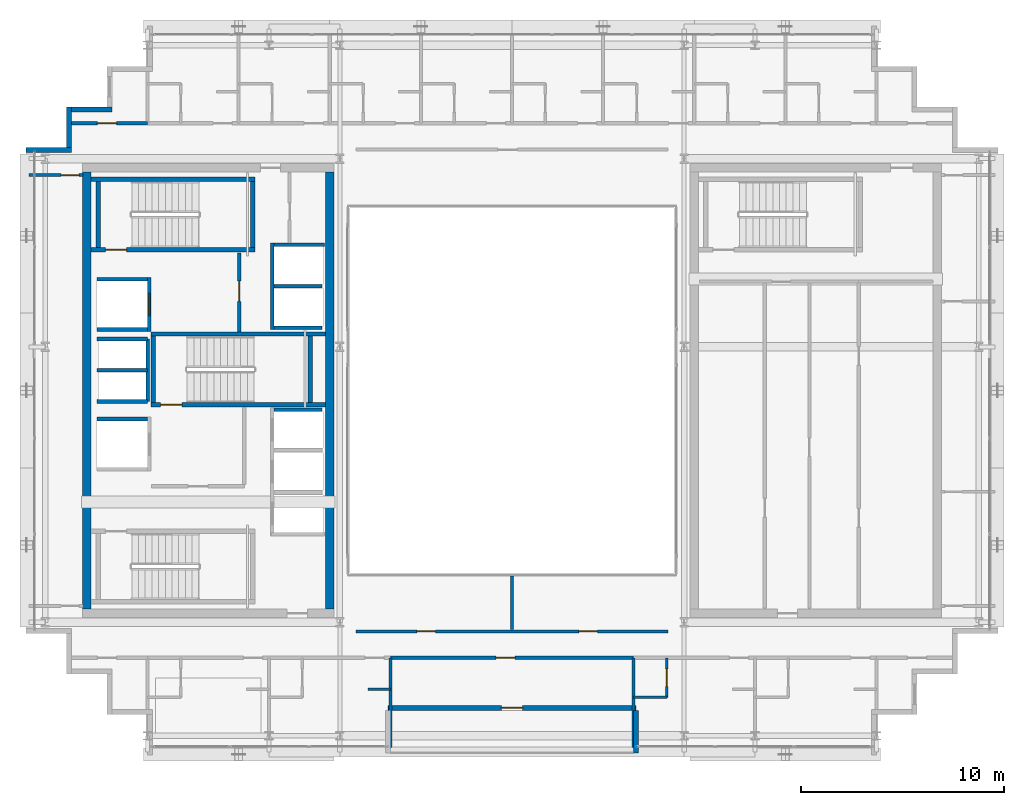
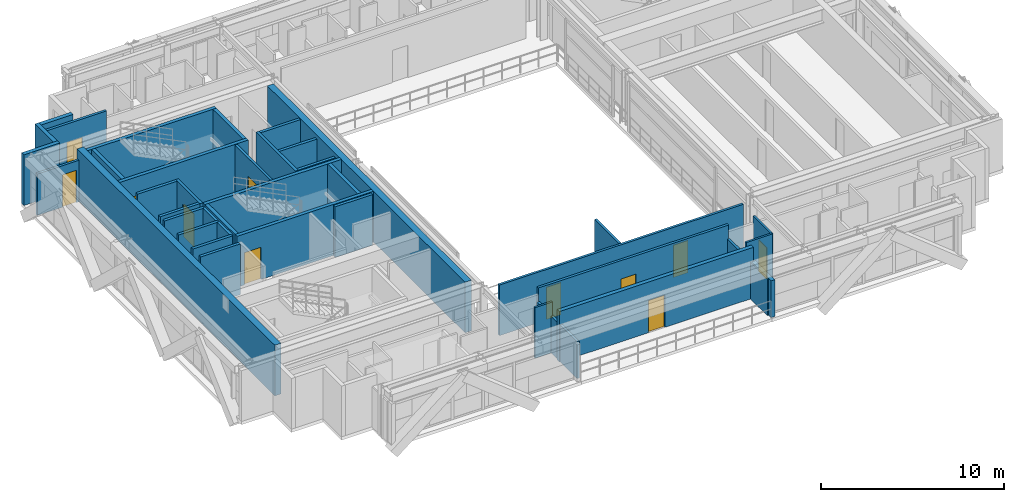
# One storey, part 22 of 29: 39 walls, 11 doors, 11 openings.
"""IFC4 building model written with IfcOpenShell, lengths in metres."""

from ifc_helpers import new_model, si_unit, direction, frame, frame_2d, origin, place, context, subcontext, project, spatial, rectangle, extrude, source, transform, mapped, material, layer, layer_set, type_object, element, fill, save


model = new_model("IFC4")

# Units and contexts
model_context = context("Model", 3, precision=1e-05, world=origin(), true_north=direction((0.0, 1.0)))
body_context = subcontext(model_context, "Body", "Model", "MODEL_VIEW")
ifc_project = project(units=[si_unit("LENGTHUNIT", "METRE"), si_unit("AREAUNIT", "SQUARE_METRE"), si_unit("VOLUMEUNIT", "CUBIC_METRE"), si_unit("PLANEANGLEUNIT", "RADIAN"), si_unit("MASSUNIT", "GRAM", prefix="KILO")], contexts=[model_context])

# Site, building, storey
site_placement = place(None, origin())
site = spatial("IfcSite", under=ifc_project, at=site_placement, CompositionType="ELEMENT")
building_placement = place(site_placement, origin())
building = spatial("IfcBuilding", under=site, at=building_placement, Name="Ocotamira Hotel", CompositionType="ELEMENT")
storey_placement = place(building_placement, frame((0.0, 0.0, 236.39990234375)))
storey = spatial("IfcBuildingStorey", under=building, at=storey_placement, Name="L59", CompositionType="ELEMENT", Elevation=236.39990234375)

# Walls
ifc_material_1 = material(Name="Concrete C50/60", Category="concrete")
ifc_layer_1 = layer(ifc_material_1, 0.39990234375)
ifc_layer_set_1 = layer_set([ifc_layer_1], Name="Concrete C50/60")
wall_type_1 = type_object("IfcWallType", Name="WL-CORE-400", PredefinedType="SHEAR", material=ifc_layer_set_1)
for number, where, z_axis, x_axis, name in (
    (1, (11.0, 15.199951171875, 0.0), (0.0, 0.0, 1.0), (0.0, 1.0, 0.0), "L59 Shear Core Wall WCORE-W"),
    (2, (23.0, 15.199951171875, 0.0), (0.0, 0.0, 1.0), (0.0, 1.0, 0.0), "L59 Shear Core Wall WCORE-E"),
):
    element("IfcWall", number, at=place(storey_placement, frame(where, z_axis=z_axis, x_axis=x_axis)), inside=storey, type_object=wall_type_1, Name=name, PredefinedType="SHEAR", context=body_context, shape_type="SweptSolid", body=[
        extrude(rectangle(XDim=21.60009765625, YDim=0.39990234375, at=frame_2d((10.800048828125, 0.0))), origin(), (0.0, 0.0, 1.0), 3.380126953125),
    ])
ifc_material_2 = material(Name="Precast concrete C45/55", Category="concrete")
ifc_layer_2 = layer(ifc_material_2, 0.25)
ifc_layer_set_2 = layer_set([ifc_layer_2], Name="Precast concrete C45/55")
wall_type_2 = type_object("IfcWallType", Name="WL-EXT-SER-250", PredefinedType="SOLIDWALL", material=ifc_layer_set_2)
for number, where, z_axis, x_axis, name in (
    (3, (12.25, 39.875, 0.0), (0.0, 0.0, 1.0), (-1.0, 0.0, 0.0), "L59 Serrated Corner Wall 16"),
    (4, (10.125, 40.0, 0.0), (0.0, 0.0, 1.0), (0.0, -1.0, 0.0), "L59 Serrated Corner Wall 17"),
):
    element("IfcWall", number, at=place(storey_placement, frame(where, z_axis=z_axis, x_axis=x_axis)), inside=storey, type_object=wall_type_2, Name=name, PredefinedType="SOLIDWALL", context=body_context, shape_type="SweptSolid", body=[
        extrude(rectangle(XDim=2.0, YDim=0.25, at=frame_2d((1.0, 0.0))), origin(), (0.0, 0.0, 1.0), 3.380126953125),
    ])
wall_1_placement = place(storey_placement, frame((10.25, 37.875, 0.0), z_axis=(0.0, 0.0, 1.0), x_axis=(-1.0, 0.0, 0.0)))
element("IfcWall", 5, at=wall_1_placement, inside=storey, type_object=wall_type_2, Name="L59 Serrated Corner Wall 18", PredefinedType="SOLIDWALL", context=body_context, shape_type="SweptSolid", body=[
    extrude(rectangle(XDim=2.25, YDim=0.25, at=frame_2d((1.125, 0.0))), origin(), (0.0, 0.0, 1.0), 3.380126953125),
])

# Wall, opening, door
wall_2_placement = place(storey_placement, frame((25.875, 10.324951171875, 0.0), z_axis=(0.0, 0.0, 1.0), x_axis=(1.0, 0.0, 0.0)))
wall_2 = element("IfcWall", 6, at=wall_2_placement, inside=storey, type_object=wall_type_2, Name="L59 Sky Terrace Back Wall 1", PredefinedType="SOLIDWALL", context=body_context, shape_type="SweptSolid", body=[
    extrude(rectangle(XDim=12.25, YDim=0.25, at=frame_2d((6.125, 0.0))), origin(), (0.0, 0.0, 1.0), 3.380126953125),
])
opening_1_placement = place(wall_2_placement, frame((5.60009765625, 0.0, 0.0)))
opening_1 = element("IfcOpeningElement", 7, at=opening_1_placement, cuts=wall_2, Name="Opening ED-3", PredefinedType="OPENING", context=body_context, shape_type="SweptSolid", body=[
    extrude(rectangle(XDim=1.050048828125, YDim=2.14990234375, at=frame_2d((0.52490234375, 1.074951171875))), frame((0.0, 0.135009765625, 0.0), z_axis=(0.0, -1.0, 0.0), x_axis=(1.0, 0.0, 0.0)), (0.0, 0.0, 1.0), 0.27001953125),
])
ifc_material_3 = material(Name="Thermally broken aluminium glazed door", Category="aluminium")
door_type_1 = type_object("IfcDoorType", Name="DR-TERR-1050", OperationType="NOTDEFINED", PredefinedType="DOOR", material=ifc_material_3)
shared_shape_1 = source(origin(), body_context, "Body", "SweptSolid", [
    extrude(rectangle(XDim=1.050048828125, YDim=2.14990234375, at=frame_2d((0.52490234375, 1.074951171875))), frame((0.0, 0.02490234375, 0.0), z_axis=(0.0, -1.0, 0.0), x_axis=(1.0, 0.0, 0.0)), (0.0, 0.0, 1.0), 0.050048828125),
])
door_1_placement = place(opening_1_placement, origin())
door_1 = element("IfcDoor", 8, at=door_1_placement, inside=storey, type_object=door_type_1, Name="L59 Sky Terrace Access Door 1 [ED-BAL-L59-1]", OperationType="SINGLE_SWING_LEFT", OverallHeight=2.14990234375, OverallWidth=1.050048828125, PredefinedType="DOOR", context=body_context, shape_type="MappedRepresentation", body=[
    mapped(shared_shape_1, transform((0.0, 0.0, 0.0), scale=1.0)),
])
fill(opening_1, door_1)

# Wall
wall_3_placement = place(storey_placement, frame((38.125, 8.10009765625, 0.0), z_axis=(0.0, 0.0, 1.0), x_axis=(0.0, 1.0, 0.0)))
element("IfcWall", 9, at=wall_3_placement, inside=storey, type_object=wall_type_2, Name="L59 Sky Terrace Return Wall 1R", PredefinedType="SOLIDWALL", context=body_context, shape_type="SweptSolid", body=[
    extrude(rectangle(XDim=2.099853515625, YDim=0.25, at=frame_2d((1.0498046875, 0.0))), origin(), (0.0, 0.0, 1.0), 2.453125),
])

# Wall, opening, door
ifc_material_4 = material(Name="Acoustic double-layer fire gypsum board partition", Category="gypsum")
ifc_layer_3 = layer(ifc_material_4, 0.159912109375)
ifc_layer_set_3 = layer_set([ifc_layer_3], Name="Acoustic double-layer fire gypsum board partition")
wall_type_3 = type_object("IfcWallType", Name="WL-FIRE-160", PredefinedType="PARTITIONING", material=ifc_layer_set_3)
wall_4_placement = place(storey_placement, frame((18.530029296875, 28.89990234375, 0.0), z_axis=(0.0, 0.0, 1.0), x_axis=(0.0, 1.0, 0.0)))
wall_4 = element("IfcWall", 10, at=wall_4_placement, inside=storey, type_object=wall_type_3, Name="L59 Interior Wall PW-L59-FSAE2-E", PredefinedType="PARTITIONING", context=body_context, shape_type="SweptSolid", body=[
    extrude(rectangle(XDim=3.900146484375, YDim=0.159912109375, at=frame_2d((1.9501953125, 0.0))), origin(), (0.0, 0.0, 1.0), 3.380126953125),
])
opening_2_placement = place(wall_4_placement, frame((1.5, 0.0, 0.0)))
opening_2 = element("IfcOpeningElement", 11, at=opening_2_placement, cuts=wall_4, Name="Opening D-FR2", PredefinedType="OPENING", context=body_context, shape_type="SweptSolid", body=[
    extrude(rectangle(XDim=1.0, YDim=2.14990234375, at=frame_2d((0.5, 1.074951171875))), frame((0.0, 0.08984375, 0.0), z_axis=(0.0, -1.0, 0.0), x_axis=(1.0, 0.0, 0.0)), (0.0, 0.0, 1.0), 0.179931640625),
])
ifc_material_5 = material(Name="Fire-rated acoustic timber-veneer door", Category="wood")
door_type_2 = type_object("IfcDoorType", Name="DR-FIRE-1000", OperationType="NOTDEFINED", PredefinedType="DOOR", material=ifc_material_5)
shared_shape_2 = source(origin(), body_context, "Body", "SweptSolid", [
    extrude(rectangle(XDim=1.0, YDim=2.14990234375, at=frame_2d((0.5, 1.074951171875))), frame((0.0, 0.02490234375, 0.0), z_axis=(0.0, -1.0, 0.0), x_axis=(1.0, 0.0, 0.0)), (0.0, 0.0, 1.0), 0.050048828125),
])
door_2_placement = place(opening_2_placement, origin())
door_2 = element("IfcDoor", 12, at=door_2_placement, inside=storey, type_object=door_type_2, Name="L59 Door ID-L59-FSAE2-D [ID-L59-FSAE2-D]", OperationType="SINGLE_SWING_RIGHT", OverallHeight=2.14990234375, OverallWidth=1.0, PredefinedType="DOOR", context=body_context, shape_type="MappedRepresentation", body=[
    mapped(shared_shape_2, transform((0.0, 0.0, 0.0), scale=1.0)),
])
fill(opening_2, door_2)

wall_5_placement = place(storey_placement, frame((26.0, 12.800048828125, 0.0), z_axis=(0.0, 0.0, 1.0), x_axis=(1.0, 0.0, 0.0)))
wall_5 = element("IfcWall", 13, at=wall_5_placement, inside=storey, type_object=wall_type_3, Name="L59 Interior Wall PW-L59-Z4B-TLGN", PredefinedType="PARTITIONING", context=body_context, shape_type="SweptSolid", body=[
    extrude(rectangle(XDim=12.0, YDim=0.159912109375, at=frame_2d((6.0, 0.0))), origin(), (0.0, 0.0, 1.0), 3.380126953125),
])
opening_3_placement = place(wall_5_placement, frame((5.199951171875, 0.0, 0.0)))
opening_3 = element("IfcOpeningElement", 14, at=opening_3_placement, cuts=wall_5, Name="Opening D-SV4", PredefinedType="OPENING", context=body_context, shape_type="SweptSolid", body=[
    extrude(rectangle(XDim=0.9599609375, YDim=2.14990234375, at=frame_2d((0.47998046875, 1.074951171875))), frame((0.0, 0.08984375, 0.0), z_axis=(0.0, -1.0, 0.0), x_axis=(1.0, 0.0, 0.0)), (0.0, 0.0, 1.0), 0.179931640625),
])
ifc_material_6 = material(Name="Fire-rated accessible walnut salon door", Category="wood")
door_type_3 = type_object("IfcDoorType", Name="DR-SERV-960", OperationType="NOTDEFINED", PredefinedType="DOOR", material=ifc_material_6)
shared_shape_3 = source(origin(), body_context, "Body", "SweptSolid", [
    extrude(rectangle(XDim=0.9599609375, YDim=2.14990234375, at=frame_2d((0.47998046875, 1.074951171875))), frame((0.0, 0.02490234375, 0.0), z_axis=(0.0, -1.0, 0.0), x_axis=(1.0, 0.0, 0.0)), (0.0, 0.0, 1.0), 0.050048828125),
])
door_3_placement = place(opening_3_placement, origin())
door_3 = element("IfcDoor", 15, at=door_3_placement, inside=storey, type_object=door_type_3, Name="L59 Door ID-L59-Z4B-TLGD [ID-L59-Z4B-TLGD]", OperationType="SINGLE_SWING_LEFT", OverallHeight=2.14990234375, OverallWidth=0.9599609375, PredefinedType="DOOR", context=body_context, shape_type="MappedRepresentation", body=[
    mapped(shared_shape_3, transform((0.0, 0.0, 0.0), scale=1.0)),
])
fill(opening_3, door_3)

wall_6_placement = place(storey_placement, frame((10.0, 39.199951171875, 0.0), z_axis=(0.0, 0.0, 1.0), x_axis=(1.0, 0.0, 0.0)))
wall_6 = element("IfcWall", 16, at=wall_6_placement, inside=storey, type_object=wall_type_3, Name="L59 Interior Wall PW-L59-Z4CNW-CW", PredefinedType="PARTITIONING", context=body_context, shape_type="SweptSolid", body=[
    extrude(rectangle(XDim=4.0, YDim=0.159912109375, at=frame_2d((2.0, 0.0))), origin(), (0.0, 0.0, 1.0), 3.380126953125),
])
opening_4_placement = place(wall_6_placement, frame((1.52001953125, 0.0, 0.0)))
opening_4 = element("IfcOpeningElement", 17, at=opening_4_placement, cuts=wall_6, Name="Opening D-SV4", PredefinedType="OPENING", context=body_context, shape_type="SweptSolid", body=[
    extrude(rectangle(XDim=0.9599609375, YDim=2.14990234375, at=frame_2d((0.47998046875, 1.074951171875))), frame((0.0, 0.08984375, 0.0), z_axis=(0.0, -1.0, 0.0), x_axis=(1.0, 0.0, 0.0)), (0.0, 0.0, 1.0), 0.179931640625),
])
door_4_placement = place(opening_4_placement, origin())
door_4 = element("IfcDoor", 18, at=door_4_placement, inside=storey, type_object=door_type_3, Name="L59 Door ID-L59-Z4CNW-CD [ID-L59-Z4CNW-CD]", OperationType="SINGLE_SWING_LEFT", OverallHeight=2.14990234375, OverallWidth=0.9599609375, PredefinedType="DOOR", context=body_context, shape_type="MappedRepresentation", body=[
    mapped(shared_shape_3, transform((0.0, 0.0, 0.0), scale=1.0)),
])
fill(opening_4, door_4)

# Wall
ifc_material_7 = material(Name="Moisture-resistant en-suite tile and gypsum partition", Category="gypsum")
ifc_layer_4 = layer(ifc_material_7, 0.1201171875)
ifc_layer_set_4 = layer_set([ifc_layer_4], Name="Moisture-resistant en-suite tile and gypsum partition")
wall_type_4 = type_object("IfcWallType", Name="WL-PART-120", PredefinedType="PARTITIONING", material=ifc_layer_set_4)
wall_7_placement = place(storey_placement, frame((24.89990234375, 11.25, 0.0), z_axis=(0.0, 0.0, 1.0), x_axis=(1.0, 0.0, 0.0)))
element("IfcWall", 19, at=wall_7_placement, inside=storey, type_object=wall_type_4, Name="L59 Interior Wall PW-L59-Z4BSW-DRN2", PredefinedType="PARTITIONING", context=body_context, shape_type="SweptSolid", body=[
    extrude(rectangle(XDim=1.10009765625, YDim=0.1201171875, at=frame_2d((0.550048828125, 0.0))), origin(), (0.0, 0.0, 1.0), 3.380126953125),
])

# Wall, opening, door
wall_8_placement = place(storey_placement, frame((39.64990234375, 10.85009765625, 0.0), z_axis=(0.0, 0.0, 1.0), x_axis=(0.0, 1.0, 0.0)))
wall_8 = element("IfcWall", 20, at=wall_8_placement, inside=storey, type_object=wall_type_4, Name="L59 Interior Wall PW-L59-Z4BSE-BAE1", PredefinedType="PARTITIONING", context=body_context, shape_type="SweptSolid", body=[
    extrude(rectangle(XDim=1.949951171875, YDim=0.1201171875, at=frame_2d((0.97509765625, 0.0))), origin(), (0.0, 0.0, 1.0), 3.380126953125),
])
opening_5_placement = place(wall_8_placement, frame((0.544921875, 0.0, 0.0)))
opening_5 = element("IfcOpeningElement", 21, at=opening_5_placement, cuts=wall_8, Name="Opening D-BA1", PredefinedType="OPENING", context=body_context, shape_type="SweptSolid", body=[
    extrude(rectangle(XDim=0.860107421875, YDim=2.10009765625, at=frame_2d((0.43017578125, 1.050048828125))), frame((0.0, 0.070068359375, 0.0), z_axis=(0.0, -1.0, 0.0), x_axis=(1.0, 0.0, 0.0)), (0.0, 0.0, 1.0), 0.14013671875),
])
ifc_material_8 = material(Name="Moisture-sealed en-suite timber door", Category="wood")
door_type_4 = type_object("IfcDoorType", Name="DR-BATH-860", OperationType="NOTDEFINED", PredefinedType="DOOR", material=ifc_material_8)
shared_shape_4 = source(origin(), body_context, "Body", "SweptSolid", [
    extrude(rectangle(XDim=0.860107421875, YDim=2.10009765625, at=frame_2d((0.43017578125, 1.050048828125))), frame((0.0, 0.02490234375, 0.0), z_axis=(0.0, -1.0, 0.0), x_axis=(1.0, 0.0, 0.0)), (0.0, 0.0, 1.0), 0.050048828125),
])
door_5_placement = place(opening_5_placement, origin())
door_5 = element("IfcDoor", 22, at=door_5_placement, inside=storey, type_object=door_type_4, Name="L59 Door ID-L59-Z4BSE-BAD1 [ID-L59-Z4BSE-BAD1]", OperationType="SINGLE_SWING_RIGHT", OverallHeight=2.10009765625, OverallWidth=0.860107421875, PredefinedType="DOOR", context=body_context, shape_type="MappedRepresentation", body=[
    mapped(shared_shape_4, transform((0.0, 0.0, 0.0), scale=1.0)),
])
fill(opening_5, door_5)

# Walls
wall_9_placement = place(storey_placement, frame((38.0, 10.85009765625, 0.0), z_axis=(0.0, 0.0, 1.0), x_axis=(1.0, 0.0, 0.0)))
element("IfcWall", 23, at=wall_9_placement, inside=storey, type_object=wall_type_4, Name="L59 Interior Wall PW-L59-Z4BSE-BAS1", PredefinedType="PARTITIONING", context=body_context, shape_type="SweptSolid", body=[
    extrude(rectangle(XDim=1.64990234375, YDim=0.1201171875, at=frame_2d((0.824951171875, 0.0))), origin(), (0.0, 0.0, 1.0), 3.380126953125),
])
ifc_material_9 = material(Name="Acoustic hospitality gypsum board partition", Category="gypsum")
ifc_layer_5 = layer(ifc_material_9, 0.14208984375)
ifc_layer_set_5 = layer_set([ifc_layer_5], Name="Acoustic hospitality gypsum board partition")
wall_type_5 = type_object("IfcWallType", Name="WL-PART-142", PredefinedType="PARTITIONING", material=ifc_layer_set_5)
wall_10_placement = place(storey_placement, frame((32.0, 14.199951171875, 0.0), z_axis=(0.0, 0.0, 1.0), x_axis=(0.0, 1.0, 0.0)))
element("IfcWall", 24, at=wall_10_placement, inside=storey, type_object=wall_type_5, Name="L59 Interior Wall PW-L59-Z4B-ATRD1", PredefinedType="PARTITIONING", context=body_context, shape_type="SweptSolid", body=[
    extrude(rectangle(XDim=2.650146484375, YDim=0.14208984375, at=frame_2d((1.3251953125, 0.0))), origin(), (0.0, 0.0, 1.0), 3.380126953125),
])

# Wall, openings, doors
ifc_layer_6 = layer(ifc_material_9, 0.14990234375)
ifc_layer_set_6 = layer_set([ifc_layer_6], Name="Acoustic hospitality gypsum board partition")
wall_type_6 = type_object("IfcWallType", Name="WL-PART-150", PredefinedType="PARTITIONING", material=ifc_layer_set_6)
wall_11_placement = place(storey_placement, frame((24.300048828125, 14.10009765625, 0.0), z_axis=(0.0, 0.0, 1.0), x_axis=(1.0, 0.0, 0.0)))
wall_11 = element("IfcWall", 25, at=wall_11_placement, inside=storey, type_object=wall_type_6, Name="L59 Interior Wall PW-L59-Z4B-ATRSN", PredefinedType="PARTITIONING", context=body_context, shape_type="SweptSolid", body=[
    extrude(rectangle(XDim=15.39990234375, YDim=0.14990234375, at=frame_2d((7.699951171875, 0.0))), origin(), (0.0, 0.0, 1.0), 3.380126953125),
])
opening_6_placement = place(wall_11_placement, frame((3.0, 0.0, 0.0)))
opening_6 = element("IfcOpeningElement", 26, at=opening_6_placement, cuts=wall_11, Name="Opening D-SV3", PredefinedType="OPENING", context=body_context, shape_type="SweptSolid", body=[
    extrude(rectangle(XDim=0.919921875, YDim=2.14990234375, at=frame_2d((0.4599609375, 1.074951171875))), frame((0.0, 0.0849609375, 0.0), z_axis=(0.0, -1.0, 0.0), x_axis=(1.0, 0.0, 0.0)), (0.0, 0.0, 1.0), 0.169921875),
])
opening_7_placement = place(wall_11_placement, frame((11.0, 0.0, 0.0)))
opening_7 = element("IfcOpeningElement", 27, at=opening_7_placement, cuts=wall_11, Name="Opening D-SV3", PredefinedType="OPENING", context=body_context, shape_type="SweptSolid", body=[
    extrude(rectangle(XDim=0.919921875, YDim=2.14990234375, at=frame_2d((0.4599609375, 1.074951171875))), frame((0.0, 0.0849609375, 0.0), z_axis=(0.0, -1.0, 0.0), x_axis=(1.0, 0.0, 0.0)), (0.0, 0.0, 1.0), 0.169921875),
])
ifc_material_10 = material(Name="Fire-rated walnut hospitality door", Category="wood")
door_type_5 = type_object("IfcDoorType", Name="DR-SERV-920", OperationType="NOTDEFINED", PredefinedType="DOOR", material=ifc_material_10)
shared_shape_5 = source(origin(), body_context, "Body", "SweptSolid", [
    extrude(rectangle(XDim=0.919921875, YDim=2.14990234375, at=frame_2d((0.4599609375, 1.074951171875))), frame((0.0, 0.02490234375, 0.0), z_axis=(0.0, -1.0, 0.0), x_axis=(1.0, 0.0, 0.0)), (0.0, 0.0, 1.0), 0.050048828125),
])
door_6_placement = place(opening_6_placement, origin())
door_6 = element("IfcDoor", 28, at=door_6_placement, inside=storey, type_object=door_type_5, Name="L59 Door ID-L59-Z4B-AD1 [ID-L59-Z4B-AD1]", OperationType="SINGLE_SWING_LEFT", OverallHeight=2.14990234375, OverallWidth=0.919921875, PredefinedType="DOOR", context=body_context, shape_type="MappedRepresentation", body=[
    mapped(shared_shape_5, transform((0.0, 0.0, 0.0), scale=1.0)),
])
fill(opening_6, door_6)
door_7_placement = place(opening_7_placement, origin())
door_7 = element("IfcDoor", 29, at=door_7_placement, inside=storey, type_object=door_type_5, Name="L59 Door ID-L59-Z4B-AD2 [ID-L59-Z4B-AD2]", OperationType="SINGLE_SWING_RIGHT", OverallHeight=2.14990234375, OverallWidth=0.919921875, PredefinedType="DOOR", context=body_context, shape_type="MappedRepresentation", body=[
    mapped(shared_shape_5, transform((0.0, 0.0, 0.0), scale=1.0)),
])
fill(opening_7, door_7)

# Wall, opening, door
wall_12_placement = place(storey_placement, frame((8.159912109375, 36.639892578125, 0.0), z_axis=(0.0, 0.0, 1.0), x_axis=(1.0, 0.0, 0.0)))
wall_12 = element("IfcWall", 30, at=wall_12_placement, inside=storey, type_object=wall_type_6, Name="L59 Interior Wall PW-L59-Z4BW-WN", PredefinedType="PARTITIONING", context=body_context, shape_type="SweptSolid", body=[
    extrude(rectangle(XDim=2.66015625, YDim=0.14990234375, at=frame_2d((1.330078125, 0.0))), origin(), (0.0, 0.0, 1.0), 2.76318359375),
])
opening_8_placement = place(wall_12_placement, frame((1.580078125, 0.0, 0.0)))
opening_8 = element("IfcOpeningElement", 31, at=opening_8_placement, cuts=wall_12, Name="Opening D-SV2", PredefinedType="OPENING", context=body_context, shape_type="SweptSolid", body=[
    extrude(rectangle(XDim=0.8798828125, YDim=2.14990234375, at=frame_2d((0.43994140625, 1.074951171875))), frame((0.0, 0.0849609375, 0.0), z_axis=(0.0, -1.0, 0.0), x_axis=(1.0, 0.0, 0.0)), (0.0, 0.0, 1.0), 0.169921875),
])
ifc_material_11 = material(Name="Fire-rated painted steel service door", Category="steel")
door_type_6 = type_object("IfcDoorType", Name="DR-SERV-880", OperationType="NOTDEFINED", PredefinedType="DOOR", material=ifc_material_11)
shared_shape_6 = source(origin(), body_context, "Body", "SweptSolid", [
    extrude(rectangle(XDim=0.8798828125, YDim=2.14990234375, at=frame_2d((0.43994140625, 1.074951171875))), frame((0.0, 0.02490234375, 0.0), z_axis=(0.0, -1.0, 0.0), x_axis=(1.0, 0.0, 0.0)), (0.0, 0.0, 1.0), 0.050048828125),
])
door_8_placement = place(opening_8_placement, origin())
door_8 = element("IfcDoor", 32, at=door_8_placement, inside=storey, type_object=door_type_6, Name="L59 Door ID-L59-Z4BW-DN [ID-L59-Z4BW-DN]", OperationType="SINGLE_SWING_RIGHT", OverallHeight=2.14990234375, OverallWidth=0.8798828125, PredefinedType="DOOR", context=body_context, shape_type="MappedRepresentation", body=[
    mapped(shared_shape_6, transform((0.0, 0.0, 0.0), scale=1.0)),
])
fill(opening_8, door_8)

# Walls
ifc_material_12 = material(Name="Acoustic double-stud hospitality gypsum partition", Category="gypsum")
ifc_layer_7 = layer(ifc_material_12, 0.159912109375)
ifc_layer_set_7 = layer_set([ifc_layer_7], Name="Acoustic double-stud hospitality gypsum partition")
wall_type_7 = type_object("IfcWallType", Name="WL-PART-160", PredefinedType="PARTITIONING", material=ifc_layer_set_7)
for number, where, z_axis, x_axis, name in (
    (33, (26.0, 8.360107421875, 0.0), (0.0, 0.0, 1.0), (0.0, 1.0, 0.0), "L59 Interior Wall PW-L59-Z4BSW-PWEND"),
    (34, (38.0, 8.360107421875, 0.0), (0.0, 0.0, 1.0), (0.0, 1.0, 0.0), "L59 Interior Wall PW-L59-Z4BSE-PW0"),
):
    element("IfcWall", number, at=place(storey_placement, frame(where, z_axis=z_axis, x_axis=x_axis)), inside=storey, type_object=wall_type_7, Name=name, PredefinedType="PARTITIONING", context=body_context, shape_type="SweptSolid", body=[
        extrude(rectangle(XDim=4.43994140625, YDim=0.159912109375, at=frame_2d((2.219970703125, 0.0))), origin(), (0.0, 0.0, 1.0), 2.453125),
    ])
ifc_material_13 = material(Name="Fire-rated gypsum shaftliner board assembly", Category="gypsum")
ifc_layer_8 = layer(ifc_material_13, 0.179931640625)
ifc_layer_set_8 = layer_set([ifc_layer_8], Name="Fire-rated gypsum shaftliner board assembly")
wall_type_8 = type_object("IfcWallType", Name="WL-SHAFT-180", PredefinedType="SOLIDWALL", material=ifc_layer_set_8)
wall_13_placement = place(storey_placement, frame((20.25, 25.050048828125, 0.0), z_axis=(0.0, 0.0, 1.0), x_axis=(1.0, 0.0, 0.0)))
element("IfcWall", 35, at=wall_13_placement, inside=storey, type_object=wall_type_8, Name="L59 Interior Wall PW-L59-LFW-BANK-high-N", PredefinedType="SOLIDWALL", context=body_context, shape_type="SweptSolid", body=[
    extrude(rectangle(XDim=2.360107421875, YDim=0.179931640625, at=frame_2d((1.18017578125, 0.0))), origin(), (0.0, 0.0, 1.0), 3.380126953125),
])
wall_14_placement = place(storey_placement, frame((20.159912109375, 29.0, 0.0), z_axis=(0.0, 0.0, 1.0), x_axis=(0.0, 1.0, 0.0)))
element("IfcWall", 36, at=wall_14_placement, inside=storey, type_object=wall_type_8, Name="L59 Interior Wall PW-L59-LFW-BANK-obs-F", PredefinedType="SOLIDWALL", context=body_context, shape_type="SweptSolid", body=[
    extrude(rectangle(XDim=4.2900390625, YDim=0.179931640625, at=frame_2d((2.14501953125, 0.0))), origin(), (0.0, 0.0, 1.0), 3.380126953125),
])
wall_15_placement = place(storey_placement, frame((20.25, 29.090087890625, 0.0), z_axis=(0.0, 0.0, 1.0), x_axis=(1.0, 0.0, 0.0)))
element("IfcWall", 37, at=wall_15_placement, inside=storey, type_object=wall_type_8, Name="L59 Interior Wall PW-L59-LFW-BANK-obs-S", PredefinedType="SOLIDWALL", context=body_context, shape_type="SweptSolid", body=[
    extrude(rectangle(XDim=2.360107421875, YDim=0.179931640625, at=frame_2d((1.18017578125, 0.0))), origin(), (0.0, 0.0, 1.0), 3.380126953125),
])
wall_16_placement = place(storey_placement, frame((20.25, 33.199951171875, 0.0), z_axis=(0.0, 0.0, 1.0), x_axis=(1.0, 0.0, 0.0)))
element("IfcWall", 38, at=wall_16_placement, inside=storey, type_object=wall_type_8, Name="L59 Interior Wall PW-L59-LFW-BANK-obs-N", PredefinedType="SOLIDWALL", context=body_context, shape_type="SweptSolid", body=[
    extrude(rectangle(XDim=2.5, YDim=0.179931640625, at=frame_2d((1.25, 0.0))), origin(), (0.0, 0.0, 1.0), 3.380126953125),
])
wall_17_placement = place(storey_placement, frame((20.25, 31.14501953125, 0.0), z_axis=(0.0, 0.0, 1.0), x_axis=(1.0, 0.0, 0.0)))
element("IfcWall", 39, at=wall_17_placement, inside=storey, type_object=wall_type_8, Name="L59 Interior Wall PW-L59-LFW-DIV-LF-OBS1", PredefinedType="SOLIDWALL", context=body_context, shape_type="SweptSolid", body=[
    extrude(rectangle(XDim=2.360107421875, YDim=0.179931640625, at=frame_2d((1.18017578125, 0.0))), origin(), (0.0, 0.0, 1.0), 3.380126953125),
])
for number, where, z_axis, x_axis, name in (
    (40, (11.5, 24.590087890625, 0.0), (0.0, 0.0, 1.0), (1.0, 0.0, 0.0), "L59 Interior Wall PW-L59-LFW-LF-FSAE1-N"),
    (41, (11.5, 29.010009765625, 0.0), (0.0, 0.0, 1.0), (1.0, 0.0, 0.0), "L59 Interior Wall PW-L59-LFW-LF-FSAE2-S"),
    (42, (11.5, 31.489990234375, 0.0), (0.0, 0.0, 1.0), (1.0, 0.0, 0.0), "L59 Interior Wall PW-L59-LFW-LF-FSAE2-N"),
):
    element("IfcWall", number, at=place(storey_placement, frame(where, z_axis=z_axis, x_axis=x_axis)), inside=storey, type_object=wall_type_8, Name=name, PredefinedType="SOLIDWALL", context=body_context, shape_type="SweptSolid", body=[
        extrude(rectangle(XDim=2.5, YDim=0.179931640625, at=frame_2d((1.25, 0.0))), origin(), (0.0, 0.0, 1.0), 3.380126953125),
    ])

# Wall, opening, door
wall_18_placement = place(storey_placement, frame((14.090087890625, 28.919921875, 0.0), z_axis=(0.0, 0.0, 1.0), x_axis=(0.0, 1.0, 0.0)))
wall_18 = element("IfcWall", 43, at=wall_18_placement, inside=storey, type_object=wall_type_8, Name="L59 Interior Wall PW-L59-LFW-LF-FSAE2-E", PredefinedType="SOLIDWALL", context=body_context, shape_type="SweptSolid", body=[
    extrude(rectangle(XDim=2.66015625, YDim=0.179931640625, at=frame_2d((1.330078125, 0.0))), origin(), (0.0, 0.0, 1.0), 3.380126953125),
])
opening_9_placement = place(wall_18_placement, frame((0.780029296875, 0.0, 0.0)))
opening_9 = element("IfcOpeningElement", 44, at=opening_9_placement, cuts=wall_18, Name="Opening LD-LF-FSAE2", PredefinedType="OPENING", context=body_context, shape_type="SweptSolid", body=[
    extrude(rectangle(XDim=1.10009765625, YDim=2.199951171875, at=frame_2d((0.550048828125, 1.10009765625))), frame((0.0, 0.10009765625, 0.0), z_axis=(0.0, -1.0, 0.0), x_axis=(1.0, 0.0, 0.0)), (0.0, 0.0, 1.0), 0.199951171875),
])
ifc_material_14 = material(Name="Brushed pale-metal stainless elevator landing door", Category="steel")
door_type_7 = type_object("IfcDoorType", Name="DR-LIFT-1100", OperationType="NOTDEFINED", PredefinedType="DOOR", material=ifc_material_14)
shared_shape_7 = source(origin(), body_context, "Body", "SweptSolid", [
    extrude(rectangle(XDim=1.10009765625, YDim=2.199951171875, at=frame_2d((0.550048828125, 1.10009765625))), frame((0.0, 0.02490234375, 0.0), z_axis=(0.0, -1.0, 0.0), x_axis=(1.0, 0.0, 0.0)), (0.0, 0.0, 1.0), 0.050048828125),
])
door_9_placement = place(opening_9_placement, origin())
door_9 = element("IfcDoor", 45, at=door_9_placement, inside=storey, type_object=door_type_7, Name="L59 Landing Door LD-LF-FSAE2 [ID-L59-LD-LF-FSAE2]", OperationType="DOUBLE_DOOR_SLIDING", OverallHeight=2.199951171875, OverallWidth=1.10009765625, PredefinedType="DOOR", context=body_context, shape_type="MappedRepresentation", body=[
    mapped(shared_shape_7, transform((0.0, 0.0, 0.0), scale=1.0)),
])
fill(opening_9, door_9)

# Walls
for number, where, z_axis, x_axis, name in (
    (46, (11.5, 25.4599609375, 0.0), (0.0, 0.0, 1.0), (1.0, 0.0, 0.0), "L59 Interior Wall PW-L59-RSW-S"),
    (47, (11.5, 27.0, 0.0), (0.0, 0.0, 1.0), (1.0, 0.0, 0.0), "L59 Interior Wall PW-L59-RSW-MID"),
    (48, (11.5, 28.5400390625, 0.0), (0.0, 0.0, 1.0), (1.0, 0.0, 0.0), "L59 Interior Wall PW-L59-RSW-N"),
):
    element("IfcWall", number, at=place(storey_placement, frame(where, z_axis=z_axis, x_axis=x_axis)), inside=storey, type_object=wall_type_8, Name=name, PredefinedType="SOLIDWALL", context=body_context, shape_type="SweptSolid", body=[
        extrude(rectangle(XDim=2.510009765625, YDim=0.179931640625, at=frame_2d((1.2548828125, 0.0))), origin(), (0.0, 0.0, 1.0), 3.380126953125),
    ])
wall_19_placement = place(storey_placement, frame((14.010009765625, 25.4599609375, 0.0), z_axis=(0.0, 0.0, 1.0), x_axis=(0.0, 1.0, 0.0)))
element("IfcWall", 49, at=wall_19_placement, inside=storey, type_object=wall_type_8, Name="L59 Interior Wall PW-L59-RSW-E", PredefinedType="SOLIDWALL", context=body_context, shape_type="SweptSolid", body=[
    extrude(rectangle(XDim=3.080078125, YDim=0.179931640625, at=frame_2d((1.5400390625, 0.0))), origin(), (0.0, 0.0, 1.0), 3.380126953125),
])

# Wall, opening, door
ifc_layer_9 = layer(ifc_material_1, 0.219970703125)
ifc_layer_set_9 = layer_set([ifc_layer_9], Name="Concrete C50/60")
wall_type_9 = type_object("IfcWallType", Name="WL-STAIR-220", PredefinedType="SHEAR", material=ifc_layer_set_9)
wall_20_placement = place(storey_placement, frame((11.199951171875, 32.93994140625, 0.0), z_axis=(0.0, 0.0, 1.0), x_axis=(1.0, 0.0, 0.0)))
wall_20 = element("IfcWall", 50, at=wall_20_placement, inside=storey, type_object=wall_type_9, Name="L59 Stair Shaft Structural Wall ST-2-S", PredefinedType="SHEAR", context=body_context, shape_type="SweptSolid", body=[
    extrude(rectangle(XDim=8.110107421875, YDim=0.219970703125, at=frame_2d((4.05517578125, 0.0))), origin(), (0.0, 0.0, 1.0), 3.400146484375),
])
opening_10_placement = place(wall_20_placement, frame((0.719970703125, 0.0, 0.0)))
opening_10 = element("IfcOpeningElement", 51, at=opening_10_placement, cuts=wall_20, Name="Opening D-ST2", PredefinedType="OPENING", context=body_context, shape_type="SweptSolid", body=[
    extrude(rectangle(XDim=1.050048828125, YDim=2.14990234375, at=frame_2d((0.52490234375, 1.074951171875))), frame((0.0, 0.1201171875, 0.0), z_axis=(0.0, -1.0, 0.0), x_axis=(1.0, 0.0, 0.0)), (0.0, 0.0, 1.0), 0.239990234375),
])
ifc_material_15 = material(Name="Insulated painted hollow-metal fire exit door", Category="steel")
door_type_8 = type_object("IfcDoorType", Name="DR-STAIR-1050", OperationType="NOTDEFINED", PredefinedType="DOOR", material=ifc_material_15)
door_10_placement = place(opening_10_placement, origin())
door_10 = element("IfcDoor", 52, at=door_10_placement, inside=storey, type_object=door_type_8, Name="L59 Door ID-L59-STD-ST-2 [ID-L59-STD-ST-2]", OperationType="SINGLE_SWING_LEFT", OverallHeight=2.14990234375, OverallWidth=1.050048828125, PredefinedType="DOOR", context=body_context, shape_type="MappedRepresentation", body=[
    mapped(shared_shape_1, transform((0.0, 0.0, 0.0), scale=1.0)),
])
fill(opening_10, door_10)

# Walls
wall_21_placement = place(storey_placement, frame((11.199951171875, 36.43994140625, 0.0), z_axis=(0.0, 0.0, 1.0), x_axis=(1.0, 0.0, 0.0)))
element("IfcWall", 53, at=wall_21_placement, inside=storey, type_object=wall_type_9, Name="L59 Stair Shaft Structural Wall ST-2-N", PredefinedType="SHEAR", context=body_context, shape_type="SweptSolid", body=[
    extrude(rectangle(XDim=8.110107421875, YDim=0.219970703125, at=frame_2d((4.05517578125, 0.0))), origin(), (0.0, 0.0, 1.0), 3.400146484375),
])
for number, where, z_axis, x_axis, name in (
    (54, (11.56005859375, 33.050048828125, 0.0), (0.0, 0.0, 1.0), (0.0, 1.0, 0.0), "L59 Stair Shaft Structural Wall ST-2-W"),
    (55, (19.199951171875, 33.050048828125, 0.0), (0.0, 0.0, 1.0), (0.0, 1.0, 0.0), "L59 Stair Shaft Structural Wall ST-2-E"),
):
    element("IfcWall", number, at=place(storey_placement, frame(where, z_axis=z_axis, x_axis=x_axis)), inside=storey, type_object=wall_type_9, Name=name, PredefinedType="SHEAR", context=body_context, shape_type="SweptSolid", body=[
        extrude(rectangle(XDim=3.280029296875, YDim=0.219970703125, at=frame_2d((1.64013671875, 0.0))), origin(), (0.0, 0.0, 1.0), 3.400146484375),
    ])

# Wall, opening, door
wall_22_placement = place(storey_placement, frame((14.179931640625, 25.2900390625, 0.0), z_axis=(0.0, 0.0, 1.0), x_axis=(1.0, 0.0, 0.0)))
wall_22 = element("IfcWall", 56, at=wall_22_placement, inside=storey, type_object=wall_type_9, Name="L59 Stair Shaft Structural Wall ST-3-S", PredefinedType="SHEAR", context=body_context, shape_type="SweptSolid", body=[
    extrude(rectangle(XDim=8.6201171875, YDim=0.219970703125, at=frame_2d((4.31005859375, 0.0))), origin(), (0.0, 0.0, 1.0), 3.400146484375),
])
opening_11_placement = place(wall_22_placement, frame((0.469970703125, 0.0, 0.0)))
opening_11 = element("IfcOpeningElement", 57, at=opening_11_placement, cuts=wall_22, Name="Opening D-ST2", PredefinedType="OPENING", context=body_context, shape_type="SweptSolid", body=[
    extrude(rectangle(XDim=1.050048828125, YDim=2.14990234375, at=frame_2d((0.52490234375, 1.074951171875))), frame((0.0, 0.1201171875, 0.0), z_axis=(0.0, -1.0, 0.0), x_axis=(1.0, 0.0, 0.0)), (0.0, 0.0, 1.0), 0.239990234375),
])
door_11_placement = place(opening_11_placement, origin())
door_11 = element("IfcDoor", 58, at=door_11_placement, inside=storey, type_object=door_type_8, Name="L59 Door ID-L59-STD-ST-3 [ID-L59-STD-ST-3]", OperationType="SINGLE_SWING_RIGHT", OverallHeight=2.14990234375, OverallWidth=1.050048828125, PredefinedType="DOOR", context=body_context, shape_type="MappedRepresentation", body=[
    mapped(shared_shape_1, transform((0.0, 0.0, 0.0), scale=1.0)),
])
fill(opening_11, door_11)

# Walls
wall_23_placement = place(storey_placement, frame((14.179931640625, 28.7900390625, 0.0), z_axis=(0.0, 0.0, 1.0), x_axis=(1.0, 0.0, 0.0)))
element("IfcWall", 59, at=wall_23_placement, inside=storey, type_object=wall_type_9, Name="L59 Stair Shaft Structural Wall ST-3-N", PredefinedType="SHEAR", context=body_context, shape_type="SweptSolid", body=[
    extrude(rectangle(XDim=8.6201171875, YDim=0.219970703125, at=frame_2d((4.31005859375, 0.0))), origin(), (0.0, 0.0, 1.0), 3.400146484375),
])
for number, where, z_axis, x_axis, name in (
    (60, (14.2900390625, 25.39990234375, 0.0), (0.0, 0.0, 1.0), (0.0, 1.0, 0.0), "L59 Stair Shaft Structural Wall ST-3-W"),
    (61, (22.030029296875, 25.39990234375, 0.0), (0.0, 0.0, 1.0), (0.0, 1.0, 0.0), "L59 Stair Shaft Structural Wall ST-3-E"),
):
    element("IfcWall", number, at=place(storey_placement, frame(where, z_axis=z_axis, x_axis=x_axis)), inside=storey, type_object=wall_type_9, Name=name, PredefinedType="SHEAR", context=body_context, shape_type="SweptSolid", body=[
        extrude(rectangle(XDim=3.280029296875, YDim=0.219970703125, at=frame_2d((1.64013671875, 0.0))), origin(), (0.0, 0.0, 1.0), 3.400146484375),
    ])

save(model, "model.ifc")
